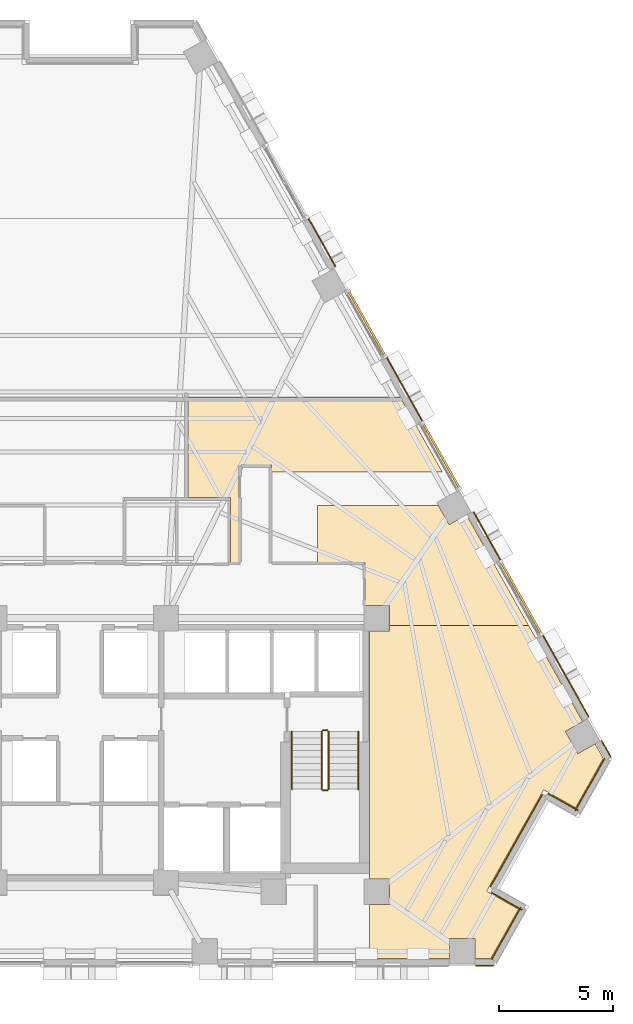
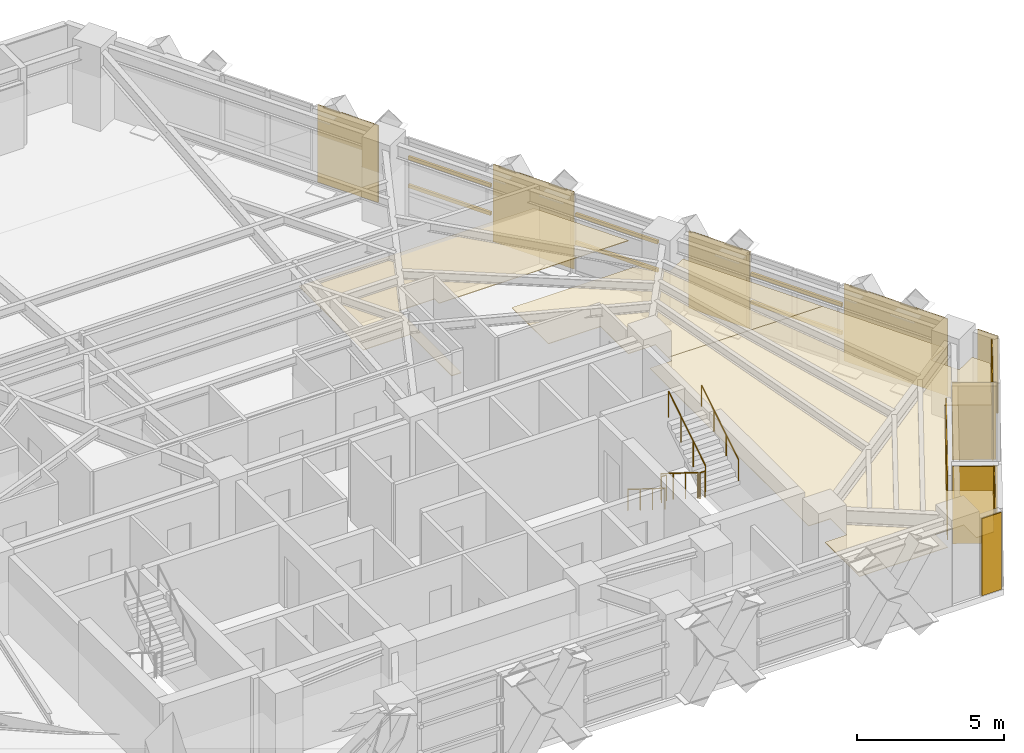
# One storey, part 13 of 14: 14 coverings, 6 railings, 6 shading devices.
"""IFC4 building model written with IfcOpenShell, lengths in metres."""

from ifc_helpers import new_model, si_unit, direction, frame, origin, origin_2d, place, context, subcontext, project, spatial, polyline, rectangle, circle, outline, extrude, material, layer, layer_set, material_profile, profile_set, type_object, element, save


model = new_model("IFC4")

# Units and contexts
model_context = context("Model", 3, precision=1e-05, world=origin(), true_north=direction((0.0, 1.0)))
body_context = subcontext(model_context, "Body", "Model", "MODEL_VIEW")
ifc_project = project(units=[si_unit("LENGTHUNIT", "METRE"), si_unit("AREAUNIT", "SQUARE_METRE"), si_unit("VOLUMEUNIT", "CUBIC_METRE"), si_unit("PLANEANGLEUNIT", "RADIAN"), si_unit("MASSUNIT", "GRAM", prefix="KILO")], contexts=[model_context])

# Site, building, storey
site_placement = place(None, origin())
site = spatial("IfcSite", under=ifc_project, at=site_placement, CompositionType="ELEMENT")
building_placement = place(site_placement, origin())
building = spatial("IfcBuilding", under=site, at=building_placement, Name="Quenlor Broadcast Tower", CompositionType="ELEMENT")
storey_placement = place(building_placement, frame((0.0, 0.0, 123.0)))
storey = spatial("IfcBuildingStorey", under=building, at=storey_placement, Name="L33", CompositionType="ELEMENT", Elevation=123.0)

# Coverings
ifc_material_1 = material(Name="Acoustic Mineral Fibre Board", Category="other")
ifc_layer_1 = layer(ifc_material_1, 0.02490234375)
ifc_layer_set_1 = layer_set([ifc_layer_1], Name="Acoustic Perforated Mineral Tile Ceiling 25")
covering_type_1 = type_object("IfcCoveringType", Name="Acoustic Perforated Mineral Tile Ceiling 25", PredefinedType="CEILING", material=ifc_layer_set_1)
covering_1_placement = place(storey_placement, frame((0.0, 0.0, 2.22509765625)))
element("IfcCovering", 1, at=covering_1_placement, inside=storey, type_object=covering_type_1, Name="L33 Acoustic Ceiling L33-31", PredefinedType="CEILING", context=body_context, shape_type="SweptSolid", body=[
    extrude(outline(polyline([(6.949951171875, 1.8798828125), (6.949951171875, -2.3701171875), (6.570068359375, -2.3701171875), (6.570068359375, 0.469970703125), (4.719970703125, 0.469970703125), (4.719970703125, 4.860107421875), (13.976318359375, 4.860107421875), (15.8212890625, 1.580078125), (8.35009765625, 1.580078125), (8.35009765625, 1.8798828125), (6.949951171875, 1.8798828125)])), origin(), (0.0, 0.0, 1.0), 0.02490234375),
])
covering_2_placement = place(storey_placement, frame((0.0, 0.0, 2.22509765625)))
element("IfcCovering", 2, at=covering_2_placement, inside=storey, type_object=covering_type_1, Name="L33 Acoustic Ceiling L33-35", PredefinedType="CEILING", context=body_context, shape_type="SweptSolid", body=[
    extrude(outline(polyline([(13.508056640625, -4.241943359375), (12.43994140625, -4.241943359375), (12.43994140625, -2.3701171875), (10.375, -2.3701171875), (10.375, 0.11474609375), (15.6494140625, 0.11474609375), (16.1171875, -0.717041015625), (16.873779296875, -0.29150390625), (19.58984375, -5.1201171875), (13.508056640625, -5.1201171875), (13.508056640625, -4.241943359375)])), origin(), (0.0, 0.0, 1.0), 0.02490234375),
])
covering_3_placement = place(storey_placement, frame((0.0, 0.0, 2.22509765625)))
element("IfcCovering", 3, at=covering_3_placement, inside=storey, type_object=covering_type_1, Name="L33 Acoustic Ceiling L33-35-2", PredefinedType="CEILING", context=body_context, shape_type="SweptSolid", body=[
    extrude(outline(polyline([(13.508056640625, -5.1201171875), (19.58984375, -5.1201171875), (21.951416015625, -9.318115234375), (21.19482421875, -9.74365234375), (21.741943359375, -10.71630859375), (22.49853515625, -10.290771484375), (22.85693359375, -10.927978515625), (21.64453125, -13.08349609375), (20.25, -12.299072265625), (17.759521484375, -16.7265625), (19.15380859375, -17.510986328125), (17.9453125, -19.659912109375), (17.25048828125, -19.659912109375), (17.25048828125, -18.7919921875), (16.134521484375, -18.7919921875), (16.134521484375, -19.659912109375), (12.64990234375, -19.659912109375), (12.64990234375, -17.30810546875), (13.508056640625, -17.30810546875), (13.508056640625, -16.19189453125), (12.64990234375, -16.19189453125), (12.64990234375, -5.35791015625), (13.508056640625, -5.35791015625), (13.508056640625, -5.1201171875)])), origin(), (0.0, 0.0, 1.0), 0.02490234375),
])

# Shading devices
ifc_material_2 = material(Name="Architectural Terracotta Ceramic", Category="masonry")
ifc_material_profile = material_profile(ifc_material_2, rectangle(XDim=0.090087890625, YDim=0.139892578125, at=origin_2d()))
ifc_profile_set = profile_set([ifc_material_profile], Name="Architectural Terracotta Ceramic BAG90x140")
shading_device_type = type_object("IfcShadingDeviceType", Name="Copper Terracotta Baguette Solar Screen 140", PredefinedType="USERDEFINED", material=ifc_profile_set)
for number, where, z_axis, x_axis, name in (
    (4, (18.385986328125, -2.341796875, 1.169921875), (0.490344725936, -0.871528570815, 0.0), (0.871528570815, 0.490344725936, 0.0), "L33 Terracotta Baguette Screen 1"),
    (5, (18.385986328125, -2.341796875, 2.340087890625), (0.490344725936, -0.871528570815, 0.0), (0.871528570815, 0.490344725936, 0.0), "L33 Terracotta Baguette Screen 2"),
):
    element("IfcShadingDevice", number, at=place(storey_placement, frame(where, z_axis=z_axis, x_axis=x_axis)), inside=storey, type_object=shading_device_type, Name=name, ObjectType="BAGUETTE", PredefinedType="USERDEFINED", context=body_context, shape_type="SweptSolid", body=[
        extrude(rectangle(XDim=0.090087890625, YDim=0.139892578125, at=origin_2d()), origin(), (0.0, 0.0, 1.0), 3.60986328125),
    ])
for number, where, z_axis, x_axis, name in (
    (6, (11.7275390625, 9.49560546875, 1.169921875), (0.490254145389, -0.871579527599, 0.0), (0.871579527599, 0.490254145389, 0.0), "L33 Terracotta Baguette Screen 1"),
    (7, (11.7275390625, 9.49560546875, 2.340087890625), (0.490254145389, -0.871579527599, 0.0), (0.871579527599, 0.490254145389, 0.0), "L33 Terracotta Baguette Screen 2"),
    (8, (14.97314453125, 3.72607421875, 1.169921875), (0.490254145389, -0.871579527599, 0.0), (0.871579527599, 0.490254145389, 0.0), "L33 Terracotta Baguette Screen 1"),
    (9, (14.97314453125, 3.72607421875, 2.340087890625), (0.490254145389, -0.871579527599, 0.0), (0.871579527599, 0.490254145389, 0.0), "L33 Terracotta Baguette Screen 2"),
):
    element("IfcShadingDevice", number, at=place(storey_placement, frame(where, z_axis=z_axis, x_axis=x_axis)), inside=storey, type_object=shading_device_type, Name=name, ObjectType="BAGUETTE", PredefinedType="USERDEFINED", context=body_context, shape_type="SweptSolid", body=[
        extrude(rectangle(XDim=0.090087890625, YDim=0.139892578125, at=origin_2d()), origin(), (0.0, 0.0, 1.0), 3.267822265625),
    ])

# Coverings
ifc_material_3 = material(Name="Architectural Terracotta Ceramic", Category="masonry")
ifc_layer_2 = layer(ifc_material_3, 0.044921875)
ifc_layer_set_2 = layer_set([ifc_layer_2], Name="Fluted Terracotta Rainscreen Cladding Panel")
covering_type_2 = type_object("IfcCoveringType", Name="Fluted Terracotta Rainscreen Cladding Panel", PredefinedType="CLADDING", material=ifc_layer_set_2)
covering_4_placement = place(storey_placement, frame((0.0, 0.0, 0.02001953125)))
element("IfcCovering", 10, at=covering_4_placement, inside=storey, type_object=covering_type_2, Name="L33 Terracotta Rainscreen Cladding L33-SHD-SS0", PredefinedType="CLADDING", context=body_context, shape_type="SweptSolid", body=[
    extrude(outline(polyline([(18.053955078125, -19.951904296875), (17.277587890625, -19.951904296875), (17.277587890625, -19.9970703125), (18.053955078125, -19.9970703125), (18.053955078125, -19.951904296875)])), origin(), (0.0, 0.0, 1.0), 3.2099609375),
])
covering_5_placement = place(storey_placement, frame((0.0, 0.0, 0.02001953125)))
element("IfcCovering", 11, at=covering_5_placement, inside=storey, type_object=covering_type_2, Name="L33 Terracotta Rainscreen Cladding L33-SHD-NES1", PredefinedType="CLADDING", context=body_context, shape_type="SweptSolid", body=[
    extrude(outline(polyline([(22.76611328125, -10.171142578125), (23.160888671875, -10.873046875), (23.2001953125, -10.85107421875), (22.805419921875, -10.149169921875), (22.76611328125, -10.171142578125)])), origin(), (0.0, 0.0, 1.0), 3.2099609375),
])
covering_6_placement = place(storey_placement, frame((0.0, 0.0, 0.02001953125)))
element("IfcCovering", 12, at=covering_6_placement, inside=storey, type_object=covering_type_2, Name="L33 Terracotta Rainscreen Cladding L33-NEA-SP2", PredefinedType="CLADDING", context=body_context, shape_type="SweptSolid", body=[
    extrude(outline(polyline([(9.948974609375, 12.656005859375), (11.13232421875, 10.552001953125), (11.171630859375, 10.57421875), (9.98828125, 12.677978515625), (9.948974609375, 12.656005859375)])), origin(), (0.0, 0.0, 1.0), 3.2099609375),
])
covering_7_placement = place(storey_placement, frame((0.0, 0.0, 0.02001953125)))
element("IfcCovering", 13, at=covering_7_placement, inside=storey, type_object=covering_type_2, Name="L33 Terracotta Rainscreen Cladding L33-NEC-SP1", PredefinedType="CLADDING", context=body_context, shape_type="SweptSolid", body=[
    extrude(outline(polyline([(17.168701171875, -0.179443359375), (18.35205078125, -2.283203125), (18.391357421875, -2.26123046875), (17.2080078125, -0.157470703125), (17.168701171875, -0.179443359375)])), origin(), (0.0, 0.0, 1.0), 3.2099609375),
])
covering_8_placement = place(storey_placement, frame((0.0, 0.0, 0.02001953125)))
element("IfcCovering", 14, at=covering_8_placement, inside=storey, type_object=covering_type_2, Name="L33 Terracotta Rainscreen Cladding L33-NEC-SP2", PredefinedType="CLADDING", context=body_context, shape_type="SweptSolid", body=[
    extrude(outline(polyline([(20.188232421875, -5.547119140625), (22.2001953125, -9.1240234375), (22.239501953125, -9.10205078125), (20.227294921875, -5.525146484375), (20.188232421875, -5.547119140625)])), origin(), (0.0, 0.0, 1.0), 3.2099609375),
])
covering_9_placement = place(storey_placement, frame((0.0, 0.0, 0.02001953125)))
element("IfcCovering", 15, at=covering_9_placement, inside=storey, type_object=covering_type_2, Name="L33 Terracotta Rainscreen Cladding L33-NE-SP1", PredefinedType="CLADDING", context=body_context, shape_type="SweptSolid", body=[
    extrude(outline(polyline([(13.362060546875, 6.588134765625), (14.939208984375, 3.784423828125), (14.978515625, 3.806396484375), (13.401123046875, 6.610107421875), (13.362060546875, 6.588134765625)])), origin(), (0.0, 0.0, 1.0), 3.2099609375),
])
covering_10_placement = place(storey_placement, frame((0.0, 0.0, 0.02001953125)))
element("IfcCovering", 16, at=covering_10_placement, inside=storey, type_object=covering_type_2, Name="L33 Terracotta Rainscreen Cladding L33-CNR-01", PredefinedType="CLADDING", context=body_context, shape_type="SweptSolid", body=[
    extrude(outline(polyline([(19.31787109375, -17.525390625), (17.9755859375, -16.770263671875), (17.95361328125, -16.8095703125), (19.2958984375, -17.564697265625), (19.31787109375, -17.525390625)])), origin(), (0.0, 0.0, 1.0), 3.2099609375),
])
covering_11_placement = place(storey_placement, frame((0.0, 0.0, 0.02001953125)))
element("IfcCovering", 17, at=covering_11_placement, inside=storey, type_object=covering_type_2, Name="L33 Terracotta Rainscreen Cladding L33-CNR-02", PredefinedType="CLADDING", context=body_context, shape_type="SweptSolid", body=[
    extrude(outline(polyline([(17.941162109375, -16.5419921875), (20.206298828125, -12.515380859375), (20.1669921875, -12.493408203125), (17.902099609375, -16.52001953125), (17.941162109375, -16.5419921875)])), origin(), (0.0, 0.0, 1.0), 2.681884765625),
])
covering_12_placement = place(storey_placement, frame((0.0, 0.0, 0.02001953125)))
element("IfcCovering", 18, at=covering_12_placement, inside=storey, type_object=covering_type_2, Name="L33 Terracotta Rainscreen Cladding L33-CNR-03", PredefinedType="CLADDING", context=body_context, shape_type="SweptSolid", body=[
    extrude(outline(polyline([(20.4345703125, -12.48095703125), (21.741943359375, -13.21630859375), (21.763916015625, -13.177001953125), (20.45654296875, -12.441650390625), (20.4345703125, -12.48095703125)])), origin(), (0.0, 0.0, 1.0), 3.2099609375),
])
covering_13_placement = place(storey_placement, frame((0.0, 0.0, 0.02001953125)))
element("IfcCovering", 19, at=covering_13_placement, inside=storey, type_object=covering_type_2, Name="L33 Terracotta Rainscreen Cladding L33-CNR-04", PredefinedType="CLADDING", context=body_context, shape_type="SweptSolid", body=[
    extrude(outline(polyline([(21.64990234375, -13.212646484375), (22.926513671875, -10.94287109375), (22.887451171875, -10.9208984375), (21.610595703125, -13.190673828125), (21.64990234375, -13.212646484375)])), origin(), (0.0, 0.0, 1.0), 3.2099609375),
])
covering_14_placement = place(storey_placement, frame((0.0, 0.0, 0.02001953125)))
element("IfcCovering", 20, at=covering_14_placement, inside=storey, type_object=covering_type_2, Name="L33 Terracotta Rainscreen Cladding L33-CNR-18", PredefinedType="CLADDING", context=body_context, shape_type="SweptSolid", body=[
    extrude(outline(polyline([(17.991943359375, -19.71533203125), (19.26708984375, -17.448486328125), (19.227783203125, -17.426513671875), (17.952880859375, -19.693359375), (17.991943359375, -19.71533203125)])), origin(), (0.0, 0.0, 1.0), 3.2099609375),
])

# Railings
ifc_material_4 = material(Name="Anodised Aluminium", Category="aluminium")
railing_type_1 = type_object("IfcRailingType", Name="Stainless Aluminium Wall Handrail 900", PredefinedType="HANDRAIL", material=ifc_material_4)
railing_1_placement = place(storey_placement, frame((9.25, -9.75, 0.175048828125)))
element("IfcRailing", 21, at=railing_1_placement, inside=storey, type_object=railing_type_1, Name="L33 ST-2 stair handrail 1", PredefinedType="HANDRAIL", context=body_context, shape_type="SweptSolid", body=[
    extrude(circle(Radius=0.02392578125, at=origin_2d()), frame((0.0, 0.0, 0.8759765625), z_axis=(0.0, -0.848007534815, 0.529984170421), x_axis=(1.0, 0.0, 0.0)), (0.0, 0.0, 1.0), 2.9716796875),
    extrude(circle(Radius=0.02099609375, at=origin_2d()), origin(), (0.0, 0.0, 1.0), 0.851806640625),
    extrude(circle(Radius=0.02099609375, at=origin_2d()), frame((0.0, -0.840087890625, 0.52490234375)), (0.0, 0.0, 1.0), 0.851806640625),
    extrude(circle(Radius=0.02099609375, at=origin_2d()), frame((0.0, -1.679931640625, 1.050048828125)), (0.0, 0.0, 1.0), 0.851806640625),
    extrude(circle(Radius=0.02099609375, at=origin_2d()), frame((0.0, -2.52001953125, 1.574951171875)), (0.0, 0.0, 1.0), 0.851806640625),
])
railing_2_placement = place(storey_placement, frame((12.14990234375, -12.27001953125, 1.925048828125)))
element("IfcRailing", 22, at=railing_2_placement, inside=storey, type_object=railing_type_1, Name="L33 ST-2 stair handrail 2", PredefinedType="HANDRAIL", context=body_context, shape_type="SweptSolid", body=[
    extrude(circle(Radius=0.02392578125, at=origin_2d()), frame((0.0, 0.0, 0.8759765625), z_axis=(0.0, 0.848007534815, 0.529984170421), x_axis=(-1.0, 0.0, 0.0)), (0.0, 0.0, 1.0), 2.9716796875),
    extrude(circle(Radius=0.02099609375, at=origin_2d()), origin(), (0.0, 0.0, 1.0), 0.851806640625),
    extrude(circle(Radius=0.02099609375, at=origin_2d()), frame((0.0, 0.840087890625, 0.52490234375)), (0.0, 0.0, 1.0), 0.851806640625),
    extrude(circle(Radius=0.02099609375, at=origin_2d()), frame((0.0, 1.679931640625, 1.050048828125)), (0.0, 0.0, 1.0), 0.851806640625),
    extrude(circle(Radius=0.02099609375, at=origin_2d()), frame((0.0, 2.52001953125, 1.574951171875)), (0.0, 0.0, 1.0), 0.851806640625),
])
ifc_material_5 = material(Name="Steel S355", Category="steel")
railing_type_2 = type_object("IfcRailingType", Name="Tubular Steel S355 Stair Guardrail 1100", PredefinedType="BALUSTRADE", material=ifc_material_5)
railing_3_placement = place(storey_placement, frame((10.550048828125, -9.75, 0.175048828125)))
element("IfcRailing", 23, at=railing_3_placement, inside=storey, type_object=railing_type_2, Name="L33 ST-2 stair guard 1", PredefinedType="BALUSTRADE", context=body_context, shape_type="SweptSolid", body=[
    extrude(circle(Radius=0.02392578125, at=origin_2d()), frame((0.0, 0.0, 1.076171875), z_axis=(0.0, -0.848007534815, 0.529984170421), x_axis=(1.0, 0.0, 0.0)), (0.0, 0.0, 1.0), 2.9716796875),
    extrude(circle(Radius=0.02099609375, at=origin_2d()), origin(), (0.0, 0.0, 1.0), 1.052001953125),
    extrude(circle(Radius=0.02099609375, at=origin_2d()), frame((0.0, -0.840087890625, 0.52490234375)), (0.0, 0.0, 1.0), 1.052001953125),
    extrude(circle(Radius=0.02099609375, at=origin_2d()), frame((0.0, -1.679931640625, 1.050048828125)), (0.0, 0.0, 1.0), 1.052001953125),
    extrude(circle(Radius=0.02099609375, at=origin_2d()), frame((0.0, -2.52001953125, 1.574951171875)), (0.0, 0.0, 1.0), 1.052001953125),
])
railing_4_placement = place(storey_placement, frame((10.60009765625, -12.320068359375, 1.75)))
element("IfcRailing", 24, at=railing_4_placement, inside=storey, type_object=railing_type_2, Name="L33 ST-2 stair guard 2", PredefinedType="BALUSTRADE", context=body_context, shape_type="SweptSolid", body=[
    extrude(circle(Radius=0.02392578125, at=origin_2d()), frame((0.0, 0.0, 1.076171875), z_axis=(1.0, 0.0, 0.0), x_axis=(0.0, 1.0, 0.0)), (0.0, 0.0, 1.0), 0.199951171875),
    extrude(circle(Radius=0.02099609375, at=origin_2d()), origin(), (0.0, 0.0, 1.0), 1.052001953125),
    extrude(circle(Radius=0.02099609375, at=origin_2d()), frame((0.199951171875, 0.0, 0.0)), (0.0, 0.0, 1.0), 1.052001953125),
])
railing_5_placement = place(storey_placement, frame((10.85009765625, -12.27001953125, 1.925048828125)))
element("IfcRailing", 25, at=railing_5_placement, inside=storey, type_object=railing_type_2, Name="L33 ST-2 stair guard 3", PredefinedType="BALUSTRADE", context=body_context, shape_type="SweptSolid", body=[
    extrude(circle(Radius=0.02392578125, at=origin_2d()), frame((0.0, 0.0, 1.076171875), z_axis=(0.0, 0.848007534815, 0.529984170421), x_axis=(-1.0, 0.0, 0.0)), (0.0, 0.0, 1.0), 2.9716796875),
    extrude(circle(Radius=0.02099609375, at=origin_2d()), origin(), (0.0, 0.0, 1.0), 1.052001953125),
    extrude(circle(Radius=0.02099609375, at=origin_2d()), frame((0.0, 0.840087890625, 0.52490234375)), (0.0, 0.0, 1.0), 1.052001953125),
    extrude(circle(Radius=0.02099609375, at=origin_2d()), frame((0.0, 1.679931640625, 1.050048828125)), (0.0, 0.0, 1.0), 1.052001953125),
    extrude(circle(Radius=0.02099609375, at=origin_2d()), frame((0.0, 2.52001953125, 1.574951171875)), (0.0, 0.0, 1.0), 1.052001953125),
])
railing_6_placement = place(storey_placement, frame((10.60009765625, -9.699951171875, 0.0)))
element("IfcRailing", 26, at=railing_6_placement, inside=storey, type_object=railing_type_2, Name="L33 ST-2 stair guard 4", PredefinedType="BALUSTRADE", context=body_context, shape_type="SweptSolid", body=[
    extrude(circle(Radius=0.02392578125, at=origin_2d()), frame((0.0, 0.0, 1.076171875), z_axis=(1.0, 0.0, 0.0), x_axis=(0.0, 1.0, 0.0)), (0.0, 0.0, 1.0), 0.199951171875),
    extrude(circle(Radius=0.02099609375, at=origin_2d()), origin(), (0.0, 0.0, 1.0), 1.052001953125),
    extrude(circle(Radius=0.02099609375, at=origin_2d()), frame((0.199951171875, 0.0, 0.0)), (0.0, 0.0, 1.0), 1.052001953125),
])

save(model, "model.ifc")
